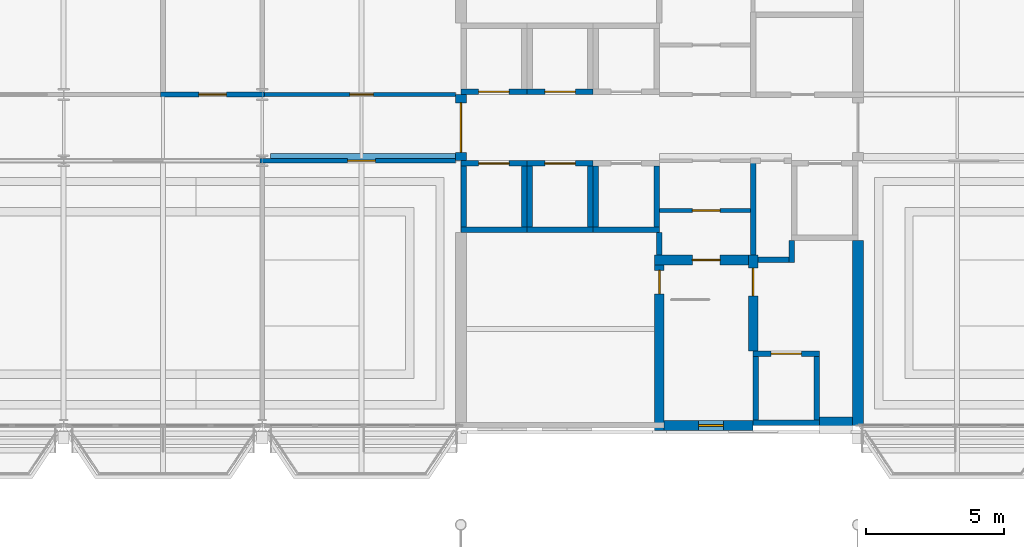
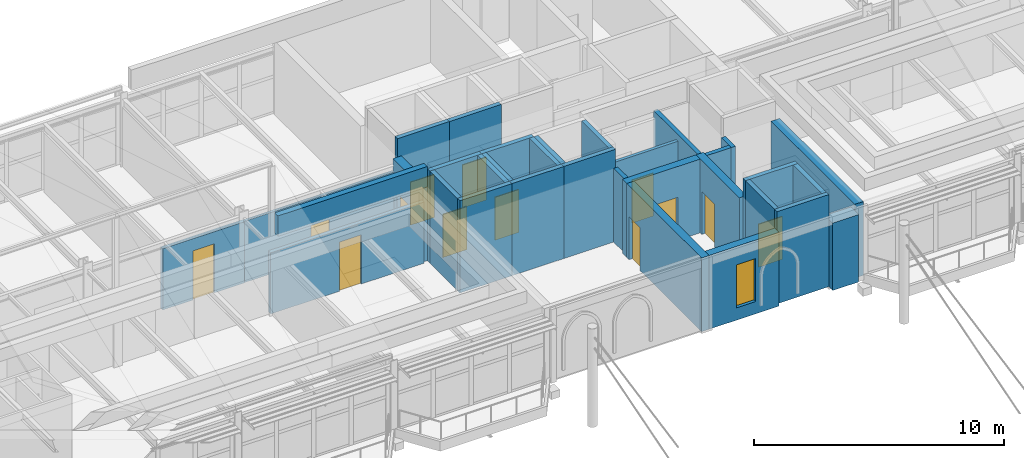
# One storey, part 50 of 68: 33 walls, 13 doors, 1 window, 14 openings.
"""IFC4 building model written with IfcOpenShell, lengths in metres."""

from ifc_helpers import new_model, si_unit, direction, frame, frame_2d, origin, place, context, subcontext, project, spatial, rectangle, extrude, material, layer, layer_set, type_object, element, fill, save


model = new_model("IFC4")

# Units and contexts
model_context = context("Model", 3, precision=1e-05, world=origin(), true_north=direction((0.0, 1.0)))
body_context = subcontext(model_context, "Body", "Model", "MODEL_VIEW")
ifc_project = project(units=[si_unit("LENGTHUNIT", "METRE"), si_unit("AREAUNIT", "SQUARE_METRE"), si_unit("VOLUMEUNIT", "CUBIC_METRE"), si_unit("PLANEANGLEUNIT", "RADIAN"), si_unit("MASSUNIT", "GRAM", prefix="KILO")], contexts=[model_context])

# Site, building, storey
site_placement = place(None, origin())
site = spatial("IfcSite", under=ifc_project, at=site_placement, CompositionType="ELEMENT")
building_placement = place(site_placement, origin())
building = spatial("IfcBuilding", under=site, at=building_placement, Name="Kupolbacken Congress Centre", CompositionType="ELEMENT")
storey_placement = place(building_placement, frame((0.0, 0.0, 25.199951171875)))
storey = spatial("IfcBuildingStorey", under=building, at=storey_placement, Name="L07", CompositionType="ELEMENT", Elevation=25.199951171875)

# Wall
ifc_material_1 = material(Name="Concrete C40/50", Category="concrete")
ifc_layer_1 = layer(ifc_material_1, 0.35009765625)
ifc_material_2 = material(Name="Mineral wool", Category="insulation")
ifc_layer_2 = layer(ifc_material_2, 0.1220703125)
ifc_material_3 = material(Name="Air cavity", Category="air")
ifc_layer_3 = layer(ifc_material_3, 0.0400390625, ventilated=True)
ifc_material_4 = material(Name="Brick", Category="masonry")
ifc_layer_4 = layer(ifc_material_4, 0.10791015625)
ifc_layer_set_1 = layer_set([ifc_layer_1, ifc_layer_2, ifc_layer_3, ifc_layer_4], Name="Concrete C40/50 / Mineral wool / Brick")
wall_type_1 = type_object("IfcWallType", Name="EW10 external cavity wall 620", PredefinedType="SOLIDWALL", material=ifc_layer_set_1)
wall_1_placement = place(storey_placement, frame((106.60009765625, 122.39990234375, 0.0), z_axis=(0.0, 0.0, 1.0), x_axis=(1.0, 0.0, 0.0)))
element("IfcWall", 1, at=wall_1_placement, inside=storey, type_object=wall_type_1, Name="E/T/S/L07/116", PredefinedType="SOLIDWALL", context=body_context, shape_type="SweptSolid", body=[
    extrude(rectangle(XDim=1.199951171875, YDim=0.6201171875, at=frame_2d((0.60009765625, 0.0))), origin(), (0.0, 0.0, 1.0), 3.2900390625),
])

# Wall, opening, door
ifc_material_5 = material(Name="Gypsum board", Category="drywall")
ifc_layer_5 = layer(ifc_material_5, 0.135009765625)
ifc_layer_set_2 = layer_set([ifc_layer_5], Name="Gypsum board")
wall_type_2 = type_object("IfcWallType", Name="P06 compartment wall 135", PredefinedType="PARTITIONING", material=ifc_layer_set_2)
wall_2_placement = place(storey_placement, frame((86.3125, 134.39990234375, 0.0), z_axis=(0.0, 0.0, 1.0), x_axis=(1.0, 0.0, 0.0)))
wall_2 = element("IfcWall", 2, at=wall_2_placement, inside=storey, type_object=wall_type_2, Name="T/wall/L07/x/13440/8640", PredefinedType="PARTITIONING", context=body_context, shape_type="SweptSolid", body=[
    extrude(rectangle(XDim=7.08740234375, YDim=0.135009765625, at=frame_2d((3.543701171875, 0.0))), origin(), (0.0, 0.0, 1.0), 2.989990234375),
])
opening_1_placement = place(wall_2_placement, frame((3.262451171875, 0.0, 0.0)))
opening_1 = element("IfcOpeningElement", 3, at=opening_1_placement, cuts=wall_2, Name="Opening D3", PredefinedType="OPENING", context=body_context, shape_type="SweptSolid", body=[
    extrude(rectangle(XDim=0.85009765625, YDim=2.10009765625, at=frame_2d((0.425048828125, 1.050048828125))), frame((0.0, 0.077392578125, 0.0), z_axis=(0.0, -1.0, 0.0), x_axis=(1.0, 0.0, 0.0)), (0.0, 0.0, 1.0), 0.155029296875),
])
ifc_material_6 = material(Name="Steel fire door leaf", Category="steel")
door_type_1 = type_object("IfcDoorType", Name="D3 fire door 850x2100", OperationType="SINGLE_SWING_LEFT", PredefinedType="DOOR", material=ifc_material_6)
door_1_placement = place(opening_1_placement, origin())
door_1 = element("IfcDoor", 4, at=door_1_placement, inside=storey, type_object=door_type_1, Name="T/wall/L07/x/13440/8640/D-ST7-S1", OperationType="SINGLE_SWING_RIGHT", OverallHeight=2.10009765625, OverallWidth=0.85009765625, PredefinedType="DOOR", context=body_context, shape_type="SweptSolid", body=[
    extrude(rectangle(XDim=0.85009765625, YDim=2.10009765625, at=frame_2d((0.425048828125, 1.050048828125))), frame((0.0, 0.02490234375, 0.0), z_axis=(0.0, -1.0, 0.0), x_axis=(1.0, 0.0, 0.0)), (0.0, 0.0, 1.0), 0.050048828125),
])
fill(opening_1, door_1)

ifc_material_7 = material(Name="Gypsum board", Category="drywall")
ifc_layer_6 = layer(ifc_material_7, 0.175048828125)
ifc_layer_set_3 = layer_set([ifc_layer_6], Name="Gypsum board")
wall_type_3 = type_object("IfcWallType", Name="P09 partition 175", PredefinedType="PARTITIONING", material=ifc_layer_set_3)
wall_3_placement = place(storey_placement, frame((86.3125, 132.0, 0.0), z_axis=(0.0, 0.0, 1.0), x_axis=(1.0, 0.0, 0.0)))
wall_3 = element("IfcWall", 5, at=wall_3_placement, inside=storey, type_object=wall_type_3, Name="T/wall/L07/x/13200/8640", PredefinedType="PARTITIONING", context=body_context, shape_type="SweptSolid", body=[
    extrude(rectangle(XDim=7.08740234375, YDim=0.175048828125, at=frame_2d((3.543701171875, 0.0))), origin(), (0.0, 0.0, 1.0), 2.989990234375),
])
opening_2_placement = place(wall_3_placement, frame((3.1875, 0.0, 0.0)))
opening_2 = element("IfcOpeningElement", 6, at=opening_2_placement, cuts=wall_3, Name="Opening D8", PredefinedType="OPENING", context=body_context, shape_type="SweptSolid", body=[
    extrude(rectangle(XDim=1.0, YDim=2.39990234375, at=frame_2d((0.5, 1.199951171875))), frame((0.0, 0.097412109375, 0.0), z_axis=(0.0, -1.0, 0.0), x_axis=(1.0, 0.0, 0.0)), (0.0, 0.0, 1.0), 0.195068359375),
])
ifc_material_8 = material(Name="Steel fire door leaf", Category="steel")
door_type_2 = type_object("IfcDoorType", Name="D8 fire door 1000x2400", OperationType="SINGLE_SWING_LEFT", PredefinedType="DOOR", material=ifc_material_8)
door_2_placement = place(opening_2_placement, frame((1.0, 0.0, 0.0), z_axis=(0.0, 0.0, 1.0), x_axis=(-1.0, 0.0, 0.0)))
door_2 = element("IfcDoor", 7, at=door_2_placement, inside=storey, type_object=door_type_2, Name="T/wall/L07/x/13200/8640/D-KNT-S1", OperationType="SINGLE_SWING_RIGHT", OverallHeight=2.39990234375, OverallWidth=1.0, PredefinedType="DOOR", context=body_context, shape_type="SweptSolid", body=[
    extrude(rectangle(XDim=1.0, YDim=2.39990234375, at=frame_2d((0.5, 1.199951171875))), frame((0.0, 0.02490234375, 0.0), z_axis=(0.0, -1.0, 0.0), x_axis=(1.0, 0.0, 0.0)), (0.0, 0.0, 1.0), 0.050048828125),
])
fill(opening_2, door_2)

wall_4_placement = place(storey_placement, frame((82.71240234375, 134.39990234375, 0.0), z_axis=(0.0, 0.0, 1.0), x_axis=(1.0, 0.0, 0.0)))
wall_4 = element("IfcWall", 8, at=wall_4_placement, inside=storey, type_object=wall_type_3, Name="T/wall/L07/x/13440/8280", PredefinedType="PARTITIONING", context=body_context, shape_type="SweptSolid", body=[
    extrude(rectangle(XDim=3.775146484375, YDim=0.175048828125, at=frame_2d((1.8876953125, 0.0))), origin(), (0.0, 0.0, 1.0), 2.989990234375),
])
opening_3_placement = place(wall_4_placement, frame((1.387451171875, 0.0, 0.0)))
opening_3 = element("IfcOpeningElement", 9, at=opening_3_placement, cuts=wall_4, Name="Opening D8", PredefinedType="OPENING", context=body_context, shape_type="SweptSolid", body=[
    extrude(rectangle(XDim=1.0, YDim=2.39990234375, at=frame_2d((0.5, 1.199951171875))), frame((0.0, 0.097412109375, 0.0), z_axis=(0.0, -1.0, 0.0), x_axis=(1.0, 0.0, 0.0)), (0.0, 0.0, 1.0), 0.195068359375),
])
door_3_placement = place(opening_3_placement, origin())
door_3 = element("IfcDoor", 10, at=door_3_placement, inside=storey, type_object=door_type_2, Name="T/wall/L07/x/13440/8280/D-KN3-S1", OperationType="SINGLE_SWING_RIGHT", OverallHeight=2.39990234375, OverallWidth=1.0, PredefinedType="DOOR", context=body_context, shape_type="SweptSolid", body=[
    extrude(rectangle(XDim=1.0, YDim=2.39990234375, at=frame_2d((0.5, 1.199951171875))), frame((0.0, 0.02490234375, 0.0), z_axis=(0.0, -1.0, 0.0), x_axis=(1.0, 0.0, 0.0)), (0.0, 0.0, 1.0), 0.050048828125),
])
fill(opening_3, door_3)

ifc_material_9 = material(Name="Aerated concrete block", Category="masonry")
ifc_layer_7 = layer(ifc_material_9, 0.139892578125)
ifc_layer_set_4 = layer_set([ifc_layer_7], Name="Aerated concrete block")
wall_type_4 = type_object("IfcWallType", Name="P14 compartment wall 140", PredefinedType="PARTITIONING", material=ifc_layer_set_4)
wall_5_placement = place(storey_placement, frame((100.800048828125, 130.199951171875, 0.0), z_axis=(0.0, 0.0, 1.0), x_axis=(1.0, 0.0, 0.0)))
wall_5 = element("IfcWall", 11, at=wall_5_placement, inside=storey, type_object=wall_type_4, Name="T/wall/L07/x/13020/10080", PredefinedType="PARTITIONING", context=body_context, shape_type="SweptSolid", body=[
    extrude(rectangle(XDim=3.300048828125, YDim=0.139892578125, at=frame_2d((1.64990234375, 0.0))), origin(), (0.0, 0.0, 1.0), 3.2900390625),
])
opening_4_placement = place(wall_5_placement, frame((1.199951171875, 0.0, 0.0)))
opening_4 = element("IfcOpeningElement", 12, at=opening_4_placement, cuts=wall_5, Name="Opening D5", PredefinedType="OPENING", context=body_context, shape_type="SweptSolid", body=[
    extrude(rectangle(XDim=1.0, YDim=2.10009765625, at=frame_2d((0.5, 1.050048828125))), frame((0.0, 0.079833984375, 0.0), z_axis=(0.0, -1.0, 0.0), x_axis=(1.0, 0.0, 0.0)), (0.0, 0.0, 1.0), 0.159912109375),
])
ifc_material_10 = material(Name="Steel fire door leaf", Category="steel")
door_type_3 = type_object("IfcDoorType", Name="D5 stair door 1000x2100", OperationType="SINGLE_SWING_LEFT", PredefinedType="DOOR", material=ifc_material_10)
door_4_placement = place(opening_4_placement, frame((1.0, 0.0, 0.0), z_axis=(0.0, 0.0, 1.0), x_axis=(-1.0, 0.0, 0.0)))
door_4 = element("IfcDoor", 13, at=door_4_placement, inside=storey, type_object=door_type_3, Name="T/wall/L07/x/13020/10080/D-TS1-LK2", OperationType="SINGLE_SWING_RIGHT", OverallHeight=2.10009765625, OverallWidth=1.0, PredefinedType="DOOR", context=body_context, shape_type="SweptSolid", body=[
    extrude(rectangle(XDim=1.0, YDim=2.10009765625, at=frame_2d((0.5, 1.050048828125))), frame((0.0, 0.02490234375, 0.0), z_axis=(0.0, -1.0, 0.0), x_axis=(1.0, 0.0, 0.0)), (0.0, 0.0, 1.0), 0.050048828125),
])
fill(opening_4, door_4)

# Walls
ifc_layer_8 = layer(ifc_material_4, 0.10791015625)
ifc_material_11 = material(Name="Concrete block", Category="masonry")
ifc_layer_9 = layer(ifc_material_11, 0.152099609375)
ifc_layer_set_5 = layer_set([ifc_layer_8, ifc_layer_9], Name="Brick / Concrete block")
wall_type_5 = type_object("IfcWallType", Name="PW2 parapet 260", PredefinedType="PARAPET", material=ifc_layer_set_5)
wall_6_placement = place(storey_placement, frame((86.699951171875, 132.1298828125, 3.60009765625), z_axis=(0.0, 0.0, 1.0), x_axis=(1.0, 0.0, 0.0)))
element("IfcWall", 14, at=wall_6_placement, inside=storey, type_object=wall_type_5, Name="E/T/parapet/S2", PredefinedType="PARAPET", context=body_context, shape_type="SweptSolid", body=[
    extrude(rectangle(XDim=6.900146484375, YDim=0.260009765625, at=frame_2d((3.4501953125, 0.0))), origin(), (0.0, 0.0, 1.0), 1.0),
])
ifc_material_12 = material(Name="Concrete C40/50", Category="concrete")
ifc_layer_10 = layer(ifc_material_12, 0.199951171875)
ifc_layer_set_6 = layer_set([ifc_layer_10], Name="Concrete C40/50")
wall_type_6 = type_object("IfcWallType", Name="WC1 RC shaft wall 200", PredefinedType="SHEAR", material=ifc_layer_set_6)
wall_7_placement = place(storey_placement, frame((100.800048828125, 128.574951171875, 0.0), z_axis=(0.0, 0.0, 1.0), x_axis=(0.0, 1.0, 0.0)))
element("IfcWall", 15, at=wall_7_placement, inside=storey, type_object=wall_type_6, Name="Shaft wall L07-091", PredefinedType="SHEAR", context=body_context, shape_type="SweptSolid", body=[
    extrude(rectangle(XDim=0.824951171875, YDim=0.199951171875, at=frame_2d((0.41259765625, 0.0))), origin(), (0.0, 0.0, 1.0), 3.60009765625),
])
wall_8_placement = place(storey_placement, frame((104.375, 128.39990234375, 0.0), z_axis=(0.0, 0.0, 1.0), x_axis=(1.0, 0.0, 0.0)))
element("IfcWall", 16, at=wall_8_placement, inside=storey, type_object=wall_type_6, Name="Shaft wall L07-093", PredefinedType="SHEAR", context=body_context, shape_type="SweptSolid", body=[
    extrude(rectangle(XDim=1.324951171875, YDim=0.199951171875, at=frame_2d((0.66259765625, 0.0))), origin(), (0.0, 0.0, 1.0), 3.60009765625),
])
wall_9_placement = place(storey_placement, frame((105.60009765625, 128.300048828125, 0.0), z_axis=(0.0, 0.0, 1.0), x_axis=(0.0, 1.0, 0.0)))
element("IfcWall", 17, at=wall_9_placement, inside=storey, type_object=wall_type_6, Name="Shaft wall L07-094", PredefinedType="SHEAR", context=body_context, shape_type="SweptSolid", body=[
    extrude(rectangle(XDim=0.800048828125, YDim=0.199951171875, at=frame_2d((0.39990234375, 0.0))), origin(), (0.0, 0.0, 1.0), 3.60009765625),
])
wall_10_placement = place(storey_placement, frame((104.199951171875, 132.10009765625, 0.0), z_axis=(0.0, 0.0, 1.0), x_axis=(0.0, -1.0, 0.0)))
element("IfcWall", 18, at=wall_10_placement, inside=storey, type_object=wall_type_6, Name="Shaft wall L07-109", PredefinedType="SHEAR", context=body_context, shape_type="SweptSolid", body=[
    extrude(rectangle(XDim=3.525146484375, YDim=0.199951171875, at=frame_2d((1.7626953125, 0.0))), origin(), (0.0, 0.0, 1.0), 3.60009765625),
])
wall_11_placement = place(storey_placement, frame((93.60009765625, 129.5, 0.0), z_axis=(0.0, 0.0, 1.0), x_axis=(1.0, 0.0, 0.0)))
element("IfcWall", 19, at=wall_11_placement, inside=storey, type_object=wall_type_6, Name="Shaft wall LP9", PredefinedType="SHEAR", context=body_context, shape_type="SweptSolid", body=[
    extrude(rectangle(XDim=2.39990234375, YDim=0.199951171875, at=frame_2d((1.199951171875, 0.0))), origin(), (0.0, 0.0, 1.0), 4.5),
])

# Wall, opening, door
wall_12_placement = place(storey_placement, frame((93.60009765625, 131.89990234375, 0.0), z_axis=(0.0, 0.0, 1.0), x_axis=(1.0, 0.0, 0.0)))
wall_12 = element("IfcWall", 20, at=wall_12_placement, inside=storey, type_object=wall_type_6, Name="Shaft wall LP9", PredefinedType="SHEAR", context=body_context, shape_type="SweptSolid", body=[
    extrude(rectangle(XDim=2.39990234375, YDim=0.199951171875, at=frame_2d((1.199951171875, 0.0))), origin(), (0.0, 0.0, 1.0), 4.5),
])
opening_5_placement = place(wall_12_placement, frame((0.64990234375, 0.0, 0.0)))
opening_5 = element("IfcOpeningElement", 21, at=opening_5_placement, cuts=wall_12, Name="Opening LD2", PredefinedType="OPENING", context=body_context, shape_type="SweptSolid", body=[
    extrude(rectangle(XDim=1.10009765625, YDim=2.10009765625, at=frame_2d((0.550048828125, 1.050048828125))), frame((0.0, 0.10986328125, 0.0), z_axis=(0.0, -1.0, 0.0), x_axis=(1.0, 0.0, 0.0)), (0.0, 0.0, 1.0), 0.219970703125),
])
ifc_material_13 = material(Name="Stainless steel door leaf", Category="steel")
door_type_4 = type_object("IfcDoorType", Name="LD2 lift landing door 1100x2100", OperationType="SLIDING_TO_LEFT", PredefinedType="DOOR", material=ifc_material_13)
door_5_placement = place(opening_5_placement, origin())
door_5 = element("IfcDoor", 22, at=door_5_placement, inside=storey, type_object=door_type_4, Name="Lift landing door LP9", OperationType="SLIDING_TO_LEFT", OverallHeight=2.10009765625, OverallWidth=1.10009765625, PredefinedType="DOOR", context=body_context, shape_type="SweptSolid", body=[
    extrude(rectangle(XDim=1.10009765625, YDim=2.10009765625, at=frame_2d((0.550048828125, 1.050048828125))), frame((0.0, 0.02490234375, 0.0), z_axis=(0.0, -1.0, 0.0), x_axis=(1.0, 0.0, 0.0)), (0.0, 0.0, 1.0), 0.050048828125),
])
fill(opening_5, door_5)

# Walls
for number, where, z_axis, x_axis, name in (
    (23, (93.699951171875, 129.60009765625, 0.0), (0.0, 0.0, 1.0), (0.0, 1.0, 0.0), "Shaft wall LP9"),
    (24, (95.89990234375, 129.60009765625, 0.0), (0.0, 0.0, 1.0), (0.0, 1.0, 0.0), "Shaft wall LP9"),
):
    element("IfcWall", number, at=place(storey_placement, frame(where, z_axis=z_axis, x_axis=x_axis)), inside=storey, type_object=wall_type_6, Name=name, PredefinedType="SHEAR", context=body_context, shape_type="SweptSolid", body=[
        extrude(rectangle(XDim=2.199951171875, YDim=0.199951171875, at=frame_2d((1.10009765625, 0.0))), origin(), (0.0, 0.0, 1.0), 4.5),
    ])
wall_13_placement = place(storey_placement, frame((96.0, 129.5, 0.0), z_axis=(0.0, 0.0, 1.0), x_axis=(1.0, 0.0, 0.0)))
element("IfcWall", 25, at=wall_13_placement, inside=storey, type_object=wall_type_6, Name="Shaft wall LP10", PredefinedType="SHEAR", context=body_context, shape_type="SweptSolid", body=[
    extrude(rectangle(XDim=2.39990234375, YDim=0.199951171875, at=frame_2d((1.199951171875, 0.0))), origin(), (0.0, 0.0, 1.0), 4.5),
])

# Wall, opening, door
wall_14_placement = place(storey_placement, frame((96.0, 131.89990234375, 0.0), z_axis=(0.0, 0.0, 1.0), x_axis=(1.0, 0.0, 0.0)))
wall_14 = element("IfcWall", 26, at=wall_14_placement, inside=storey, type_object=wall_type_6, Name="Shaft wall LP10", PredefinedType="SHEAR", context=body_context, shape_type="SweptSolid", body=[
    extrude(rectangle(XDim=2.39990234375, YDim=0.199951171875, at=frame_2d((1.199951171875, 0.0))), origin(), (0.0, 0.0, 1.0), 4.5),
])
opening_6_placement = place(wall_14_placement, frame((0.64990234375, 0.0, 0.0)))
opening_6 = element("IfcOpeningElement", 27, at=opening_6_placement, cuts=wall_14, Name="Opening LD2", PredefinedType="OPENING", context=body_context, shape_type="SweptSolid", body=[
    extrude(rectangle(XDim=1.10009765625, YDim=2.10009765625, at=frame_2d((0.550048828125, 1.050048828125))), frame((0.0, 0.10986328125, 0.0), z_axis=(0.0, -1.0, 0.0), x_axis=(1.0, 0.0, 0.0)), (0.0, 0.0, 1.0), 0.219970703125),
])
door_6_placement = place(opening_6_placement, origin())
door_6 = element("IfcDoor", 28, at=door_6_placement, inside=storey, type_object=door_type_4, Name="Lift landing door LP10", OperationType="SLIDING_TO_LEFT", OverallHeight=2.10009765625, OverallWidth=1.10009765625, PredefinedType="DOOR", context=body_context, shape_type="SweptSolid", body=[
    extrude(rectangle(XDim=1.10009765625, YDim=2.10009765625, at=frame_2d((0.550048828125, 1.050048828125))), frame((0.0, 0.02490234375, 0.0), z_axis=(0.0, -1.0, 0.0), x_axis=(1.0, 0.0, 0.0)), (0.0, 0.0, 1.0), 0.050048828125),
])
fill(opening_6, door_6)

# Walls
for number, where, z_axis, x_axis, name in (
    (29, (96.10009765625, 129.60009765625, 0.0), (0.0, 0.0, 1.0), (0.0, 1.0, 0.0), "Shaft wall LP10"),
    (30, (98.300048828125, 129.60009765625, 0.0), (0.0, 0.0, 1.0), (0.0, 1.0, 0.0), "Shaft wall LP10"),
):
    element("IfcWall", number, at=place(storey_placement, frame(where, z_axis=z_axis, x_axis=x_axis)), inside=storey, type_object=wall_type_6, Name=name, PredefinedType="SHEAR", context=body_context, shape_type="SweptSolid", body=[
        extrude(rectangle(XDim=2.199951171875, YDim=0.199951171875, at=frame_2d((1.10009765625, 0.0))), origin(), (0.0, 0.0, 1.0), 4.5),
    ])
wall_15_placement = place(storey_placement, frame((98.39990234375, 129.5, 0.0), z_axis=(0.0, 0.0, 1.0), x_axis=(1.0, 0.0, 0.0)))
element("IfcWall", 31, at=wall_15_placement, inside=storey, type_object=wall_type_6, Name="Shaft wall LP11", PredefinedType="SHEAR", context=body_context, shape_type="SweptSolid", body=[
    extrude(rectangle(XDim=2.400146484375, YDim=0.199951171875, at=frame_2d((1.2001953125, 0.0))), origin(), (0.0, 0.0, 1.0), 4.5),
])
for number, where, z_axis, x_axis, name in (
    (32, (98.5, 129.60009765625, 0.0), (0.0, 0.0, 1.0), (0.0, 1.0, 0.0), "Shaft wall LP11"),
    (33, (100.699951171875, 129.60009765625, 0.0), (0.0, 0.0, 1.0), (0.0, 1.0, 0.0), "Shaft wall LP11"),
):
    element("IfcWall", number, at=place(storey_placement, frame(where, z_axis=z_axis, x_axis=x_axis)), inside=storey, type_object=wall_type_6, Name=name, PredefinedType="SHEAR", context=body_context, shape_type="SweptSolid", body=[
        extrude(rectangle(XDim=2.199951171875, YDim=0.199951171875, at=frame_2d((1.10009765625, 0.0))), origin(), (0.0, 0.0, 1.0), 4.5),
    ])

# Wall, opening, door
wall_16_placement = place(storey_placement, frame((93.60009765625, 134.5, 0.0), z_axis=(0.0, 0.0, 1.0), x_axis=(1.0, 0.0, 0.0)))
wall_16 = element("IfcWall", 34, at=wall_16_placement, inside=storey, type_object=wall_type_6, Name="Shaft wall LP12", PredefinedType="SHEAR", context=body_context, shape_type="SweptSolid", body=[
    extrude(rectangle(XDim=2.39990234375, YDim=0.199951171875, at=frame_2d((1.199951171875, 0.0))), origin(), (0.0, 0.0, 1.0), 4.5),
])
opening_7_placement = place(wall_16_placement, frame((0.64990234375, 0.0, 0.0)))
opening_7 = element("IfcOpeningElement", 35, at=opening_7_placement, cuts=wall_16, Name="Opening LD2", PredefinedType="OPENING", context=body_context, shape_type="SweptSolid", body=[
    extrude(rectangle(XDim=1.10009765625, YDim=2.10009765625, at=frame_2d((0.550048828125, 1.050048828125))), frame((0.0, 0.10986328125, 0.0), z_axis=(0.0, -1.0, 0.0), x_axis=(1.0, 0.0, 0.0)), (0.0, 0.0, 1.0), 0.219970703125),
])
door_7_placement = place(opening_7_placement, origin())
door_7 = element("IfcDoor", 36, at=door_7_placement, inside=storey, type_object=door_type_4, Name="Lift landing door LP12", OperationType="SLIDING_TO_LEFT", OverallHeight=2.10009765625, OverallWidth=1.10009765625, PredefinedType="DOOR", context=body_context, shape_type="SweptSolid", body=[
    extrude(rectangle(XDim=1.10009765625, YDim=2.10009765625, at=frame_2d((0.550048828125, 1.050048828125))), frame((0.0, 0.02490234375, 0.0), z_axis=(0.0, -1.0, 0.0), x_axis=(1.0, 0.0, 0.0)), (0.0, 0.0, 1.0), 0.050048828125),
])
fill(opening_7, door_7)

wall_17_placement = place(storey_placement, frame((96.0, 134.5, 0.0), z_axis=(0.0, 0.0, 1.0), x_axis=(1.0, 0.0, 0.0)))
wall_17 = element("IfcWall", 37, at=wall_17_placement, inside=storey, type_object=wall_type_6, Name="Shaft wall LP13", PredefinedType="SHEAR", context=body_context, shape_type="SweptSolid", body=[
    extrude(rectangle(XDim=2.39990234375, YDim=0.199951171875, at=frame_2d((1.199951171875, 0.0))), origin(), (0.0, 0.0, 1.0), 4.5),
])
opening_8_placement = place(wall_17_placement, frame((0.64990234375, 0.0, 0.0)))
opening_8 = element("IfcOpeningElement", 38, at=opening_8_placement, cuts=wall_17, Name="Opening LD2", PredefinedType="OPENING", context=body_context, shape_type="SweptSolid", body=[
    extrude(rectangle(XDim=1.10009765625, YDim=2.10009765625, at=frame_2d((0.550048828125, 1.050048828125))), frame((0.0, 0.10986328125, 0.0), z_axis=(0.0, -1.0, 0.0), x_axis=(1.0, 0.0, 0.0)), (0.0, 0.0, 1.0), 0.219970703125),
])
door_8_placement = place(opening_8_placement, origin())
door_8 = element("IfcDoor", 39, at=door_8_placement, inside=storey, type_object=door_type_4, Name="Lift landing door LP13", OperationType="SLIDING_TO_LEFT", OverallHeight=2.10009765625, OverallWidth=1.10009765625, PredefinedType="DOOR", context=body_context, shape_type="SweptSolid", body=[
    extrude(rectangle(XDim=1.10009765625, YDim=2.10009765625, at=frame_2d((0.550048828125, 1.050048828125))), frame((0.0, 0.02490234375, 0.0), z_axis=(0.0, -1.0, 0.0), x_axis=(1.0, 0.0, 0.0)), (0.0, 0.0, 1.0), 0.050048828125),
])
fill(opening_8, door_8)

# Wall
wall_18_placement = place(storey_placement, frame((104.199951171875, 122.5, 0.0), z_axis=(0.0, 0.0, 1.0), x_axis=(1.0, 0.0, 0.0)))
element("IfcWall", 40, at=wall_18_placement, inside=storey, type_object=wall_type_6, Name="Shaft wall LF1", PredefinedType="SHEAR", context=body_context, shape_type="SweptSolid", body=[
    extrude(rectangle(XDim=2.400146484375, YDim=0.199951171875, at=frame_2d((1.2001953125, 0.0))), origin(), (0.0, 0.0, 1.0), 4.5),
])

# Wall, opening, door
wall_19_placement = place(storey_placement, frame((104.199951171875, 125.0, 0.0), z_axis=(0.0, 0.0, 1.0), x_axis=(1.0, 0.0, 0.0)))
wall_19 = element("IfcWall", 41, at=wall_19_placement, inside=storey, type_object=wall_type_6, Name="Shaft wall LF1", PredefinedType="SHEAR", context=body_context, shape_type="SweptSolid", body=[
    extrude(rectangle(XDim=2.400146484375, YDim=0.199951171875, at=frame_2d((1.2001953125, 0.0))), origin(), (0.0, 0.0, 1.0), 4.5),
])
opening_9_placement = place(wall_19_placement, frame((0.64990234375, 0.0, 0.0)))
opening_9 = element("IfcOpeningElement", 42, at=opening_9_placement, cuts=wall_19, Name="Opening LD2", PredefinedType="OPENING", context=body_context, shape_type="SweptSolid", body=[
    extrude(rectangle(XDim=1.10009765625, YDim=2.10009765625, at=frame_2d((0.550048828125, 1.050048828125))), frame((0.0, 0.10986328125, 0.0), z_axis=(0.0, -1.0, 0.0), x_axis=(1.0, 0.0, 0.0)), (0.0, 0.0, 1.0), 0.219970703125),
])
door_9_placement = place(opening_9_placement, origin())
door_9 = element("IfcDoor", 43, at=door_9_placement, inside=storey, type_object=door_type_4, Name="Lift landing door LF1", OperationType="SLIDING_TO_LEFT", OverallHeight=2.10009765625, OverallWidth=1.10009765625, PredefinedType="DOOR", context=body_context, shape_type="SweptSolid", body=[
    extrude(rectangle(XDim=1.10009765625, YDim=2.10009765625, at=frame_2d((0.550048828125, 1.050048828125))), frame((0.0, 0.02490234375, 0.0), z_axis=(0.0, -1.0, 0.0), x_axis=(1.0, 0.0, 0.0)), (0.0, 0.0, 1.0), 0.050048828125),
])
fill(opening_9, door_9)

# Walls
for number, where, z_axis, x_axis, name in (
    (44, (104.300048828125, 122.60009765625, 0.0), (0.0, 0.0, 1.0), (0.0, 1.0, 0.0), "Shaft wall LF1"),
    (45, (106.5, 122.60009765625, 0.0), (0.0, 0.0, 1.0), (0.0, 1.0, 0.0), "Shaft wall LF1"),
):
    element("IfcWall", number, at=place(storey_placement, frame(where, z_axis=z_axis, x_axis=x_axis)), inside=storey, type_object=wall_type_6, Name=name, PredefinedType="SHEAR", context=body_context, shape_type="SweptSolid", body=[
        extrude(rectangle(XDim=2.2998046875, YDim=0.199951171875, at=frame_2d((1.14990234375, 0.0))), origin(), (0.0, 0.0, 1.0), 4.5),
    ])

# Wall, opening, window
ifc_material_14 = material(Name="Concrete C40/50", Category="concrete")
ifc_layer_11 = layer(ifc_material_14, 0.35009765625)
ifc_layer_set_7 = layer_set([ifc_layer_11], Name="Concrete C40/50")
wall_type_7 = type_object("IfcWallType", Name="WC4 RC core wall 350", PredefinedType="SHEAR", material=ifc_layer_set_7)
wall_20_placement = place(storey_placement, frame((100.97509765625, 122.39990234375, 0.0), z_axis=(0.0, 0.0, 1.0), x_axis=(1.0, 0.0, 0.0)))
wall_20 = element("IfcWall", 46, at=wall_20_placement, inside=storey, type_object=wall_type_7, Name="Core wall L07-079", PredefinedType="SHEAR", context=body_context, shape_type="SweptSolid", body=[
    extrude(rectangle(XDim=3.224853515625, YDim=0.35009765625, at=frame_2d((1.6123046875, 0.0))), origin(), (0.0, 0.0, 1.0), 3.60009765625),
])
opening_10_placement = place(wall_20_placement, frame((1.25, 0.0, 0.60009765625)))
opening_10 = element("IfcOpeningElement", 47, at=opening_10_placement, cuts=wall_20, Name="Opening W28", PredefinedType="OPENING", context=body_context, shape_type="SweptSolid", body=[
    extrude(rectangle(XDim=0.89990234375, YDim=2.10009765625, at=frame_2d((0.449951171875, 1.050048828125))), frame((0.0, 0.18505859375, 0.0), z_axis=(0.0, -1.0, 0.0), x_axis=(1.0, 0.0, 0.0)), (0.0, 0.0, 1.0), 0.3701171875),
])
ifc_material_15 = material(Name="Aluminium frame with double or triple glazing", Category="aluminium")
window_type = type_object("IfcWindowType", Name="W28 window 900x2100", PartitioningType="SINGLE_PANEL", PredefinedType="WINDOW", material=ifc_material_15)
window_placement = place(opening_10_placement, origin())
window = element("IfcWindow", 48, at=window_placement, inside=storey, type_object=window_type, Name="S/core/L07/079/WW28", OverallHeight=2.10009765625, OverallWidth=0.89990234375, PartitioningType="SINGLE_PANEL", PredefinedType="WINDOW", context=body_context, shape_type="SweptSolid", body=[
    extrude(rectangle(XDim=0.89990234375, YDim=2.10009765625, at=frame_2d((0.449951171875, 1.050048828125))), frame((0.0, 0.030029296875, 0.0), z_axis=(0.0, -1.0, 0.0), x_axis=(1.0, 0.0, 0.0)), (0.0, 0.0, 1.0), 0.06005859375),
])
fill(opening_10, window)

# Wall, opening, door
wall_21_placement = place(storey_placement, frame((104.199951171875, 125.10009765625, 0.0), z_axis=(0.0, 0.0, 1.0), x_axis=(0.0, 1.0, 0.0)))
wall_21 = element("IfcWall", 49, at=wall_21_placement, inside=storey, type_object=wall_type_7, Name="Core wall L07-081", PredefinedType="SHEAR", context=body_context, shape_type="SweptSolid", body=[
    extrude(rectangle(XDim=3.474853515625, YDim=0.35009765625, at=frame_2d((1.7373046875, 0.0))), origin(), (0.0, 0.0, 1.0), 3.60009765625),
])
opening_11_placement = place(wall_21_placement, frame((2.0, 0.0, 0.0)))
opening_11 = element("IfcOpeningElement", 50, at=opening_11_placement, cuts=wall_21, Name="Opening D5", PredefinedType="OPENING", context=body_context, shape_type="SweptSolid", body=[
    extrude(rectangle(XDim=1.0, YDim=2.10009765625, at=frame_2d((0.5, 1.050048828125))), frame((0.0, 0.18505859375, 0.0), z_axis=(0.0, -1.0, 0.0), x_axis=(1.0, 0.0, 0.0)), (0.0, 0.0, 1.0), 0.3701171875),
])
door_10_placement = place(opening_11_placement, origin())
door_10 = element("IfcDoor", 51, at=door_10_placement, inside=storey, type_object=door_type_3, Name="S/core/L07/081/D-TFL1-A", OperationType="SINGLE_SWING_LEFT", OverallHeight=2.10009765625, OverallWidth=1.0, PredefinedType="DOOR", context=body_context, shape_type="SweptSolid", body=[
    extrude(rectangle(XDim=1.0, YDim=2.10009765625, at=frame_2d((0.5, 1.050048828125))), frame((0.0, 0.02490234375, 0.0), z_axis=(0.0, -1.0, 0.0), x_axis=(1.0, 0.0, 0.0)), (0.0, 0.0, 1.0), 0.050048828125),
])
fill(opening_11, door_10)

wall_22_placement = place(storey_placement, frame((100.800048828125, 128.574951171875, 0.0), z_axis=(0.0, 0.0, 1.0), x_axis=(0.0, -1.0, 0.0)))
wall_22 = element("IfcWall", 52, at=wall_22_placement, inside=storey, type_object=wall_type_7, Name="Core wall L07-090", PredefinedType="SHEAR", context=body_context, shape_type="SweptSolid", body=[
    extrude(rectangle(XDim=6.349853515625, YDim=0.35009765625, at=frame_2d((3.1748046875, 0.0))), origin(), (0.0, 0.0, 1.0), 3.60009765625),
])
opening_12_placement = place(wall_22_placement, frame((0.550048828125, 0.0, 0.0)))
opening_12 = element("IfcOpeningElement", 53, at=opening_12_placement, cuts=wall_22, Name="Opening D3", PredefinedType="OPENING", context=body_context, shape_type="SweptSolid", body=[
    extrude(rectangle(XDim=0.85009765625, YDim=2.10009765625, at=frame_2d((0.425048828125, 1.050048828125))), frame((0.0, 0.18505859375, 0.0), z_axis=(0.0, -1.0, 0.0), x_axis=(1.0, 0.0, 0.0)), (0.0, 0.0, 1.0), 0.3701171875),
])
door_11_placement = place(opening_12_placement, origin())
door_11 = element("IfcDoor", 54, at=door_11_placement, inside=storey, type_object=door_type_1, Name="S/core/L07/090/D-TR1-A", OperationType="SINGLE_SWING_RIGHT", OverallHeight=2.10009765625, OverallWidth=0.85009765625, PredefinedType="DOOR", context=body_context, shape_type="SweptSolid", body=[
    extrude(rectangle(XDim=0.85009765625, YDim=2.10009765625, at=frame_2d((0.425048828125, 1.050048828125))), frame((0.0, 0.02490234375, 0.0), z_axis=(0.0, -1.0, 0.0), x_axis=(1.0, 0.0, 0.0)), (0.0, 0.0, 1.0), 0.050048828125),
])
fill(opening_12, door_11)

wall_23_placement = place(storey_placement, frame((104.375, 128.39990234375, 0.0), z_axis=(0.0, 0.0, 1.0), x_axis=(-1.0, 0.0, 0.0)))
wall_23 = element("IfcWall", 55, at=wall_23_placement, inside=storey, type_object=wall_type_7, Name="Core wall L07-092", PredefinedType="SHEAR", context=body_context, shape_type="SweptSolid", body=[
    extrude(rectangle(XDim=3.75, YDim=0.35009765625, at=frame_2d((1.875, 0.0))), origin(), (0.0, 0.0, 1.0), 3.60009765625),
])
opening_13_placement = place(wall_23_placement, frame((1.375, 0.0, 0.0)))
opening_13 = element("IfcOpeningElement", 56, at=opening_13_placement, cuts=wall_23, Name="Opening D5", PredefinedType="OPENING", context=body_context, shape_type="SweptSolid", body=[
    extrude(rectangle(XDim=1.0, YDim=2.10009765625, at=frame_2d((0.5, 1.050048828125))), frame((0.0, 0.18505859375, 0.0), z_axis=(0.0, -1.0, 0.0), x_axis=(1.0, 0.0, 0.0)), (0.0, 0.0, 1.0), 0.3701171875),
])
door_12_placement = place(opening_13_placement, origin())
door_12 = element("IfcDoor", 57, at=door_12_placement, inside=storey, type_object=door_type_3, Name="S/core/L07/092/D-TS1-LK1", OperationType="SINGLE_SWING_LEFT", OverallHeight=2.10009765625, OverallWidth=1.0, PredefinedType="DOOR", context=body_context, shape_type="SweptSolid", body=[
    extrude(rectangle(XDim=1.0, YDim=2.10009765625, at=frame_2d((0.5, 1.050048828125))), frame((0.0, 0.02490234375, 0.0), z_axis=(0.0, -1.0, 0.0), x_axis=(1.0, 0.0, 0.0)), (0.0, 0.0, 1.0), 0.050048828125),
])
fill(opening_13, door_12)

# Wall
ifc_material_16 = material(Name="Concrete C40/50", Category="concrete")
ifc_layer_12 = layer(ifc_material_16, 0.39990234375)
ifc_layer_set_8 = layer_set([ifc_layer_12], Name="Concrete C40/50")
wall_type_8 = type_object("IfcWallType", Name="WC5 RC core wall 400", PredefinedType="SHEAR", material=ifc_layer_set_8)
wall_24_placement = place(storey_placement, frame((108.0, 122.39990234375, 0.0), z_axis=(0.0, 0.0, 1.0), x_axis=(0.0, 1.0, 0.0)))
element("IfcWall", 58, at=wall_24_placement, inside=storey, type_object=wall_type_8, Name="Core wall L07-080", PredefinedType="SHEAR", context=body_context, shape_type="SweptSolid", body=[
    extrude(rectangle(XDim=6.7001953125, YDim=0.39990234375, at=frame_2d((3.35009765625, 0.0))), origin(), (0.0, 0.0, 1.0), 3.60009765625),
])

# Wall, opening, door
wall_25_placement = place(storey_placement, frame((93.60009765625, 132.0, 0.0), z_axis=(0.0, 0.0, 1.0), x_axis=(0.0, 1.0, 0.0)))
wall_25 = element("IfcWall", 59, at=wall_25_placement, inside=storey, type_object=wall_type_8, Name="Core wall L07-108", PredefinedType="SHEAR", context=body_context, shape_type="SweptSolid", body=[
    extrude(rectangle(XDim=2.39990234375, YDim=0.39990234375, at=frame_2d((1.199951171875, 0.0))), origin(), (0.0, 0.0, 1.0), 3.60009765625),
])
opening_14_placement = place(wall_25_placement, frame((0.300048828125, 0.0, 0.0)))
opening_14 = element("IfcOpeningElement", 60, at=opening_14_placement, cuts=wall_25, Name="Opening D14", PredefinedType="OPENING", context=body_context, shape_type="SweptSolid", body=[
    extrude(rectangle(XDim=1.800048828125, YDim=2.10009765625, at=frame_2d((0.89990234375, 1.050048828125))), frame((0.0, 0.2099609375, 0.0), z_axis=(0.0, -1.0, 0.0), x_axis=(1.0, 0.0, 0.0)), (0.0, 0.0, 1.0), 0.419921875),
])
ifc_material_17 = material(Name="Steel fire door leaf", Category="steel")
door_type_5 = type_object("IfcDoorType", Name="D14 fire door 1800x2100", OperationType="DOUBLE_DOOR_SINGLE_SWING", PredefinedType="DOOR", material=ifc_material_17)
door_13_placement = place(opening_14_placement, origin())
door_13 = element("IfcDoor", 61, at=door_13_placement, inside=storey, type_object=door_type_5, Name="S/core/L07/108/D-CX-W", OperationType="DOUBLE_DOOR_SINGLE_SWING", OverallHeight=2.10009765625, OverallWidth=1.800048828125, PredefinedType="DOOR", context=body_context, shape_type="SweptSolid", body=[
    extrude(rectangle(XDim=1.800048828125, YDim=2.10009765625, at=frame_2d((0.89990234375, 1.050048828125))), frame((0.0, 0.02490234375, 0.0), z_axis=(0.0, -1.0, 0.0), x_axis=(1.0, 0.0, 0.0)), (0.0, 0.0, 1.0), 0.050048828125),
])
fill(opening_14, door_13)

save(model, "model.ifc")
